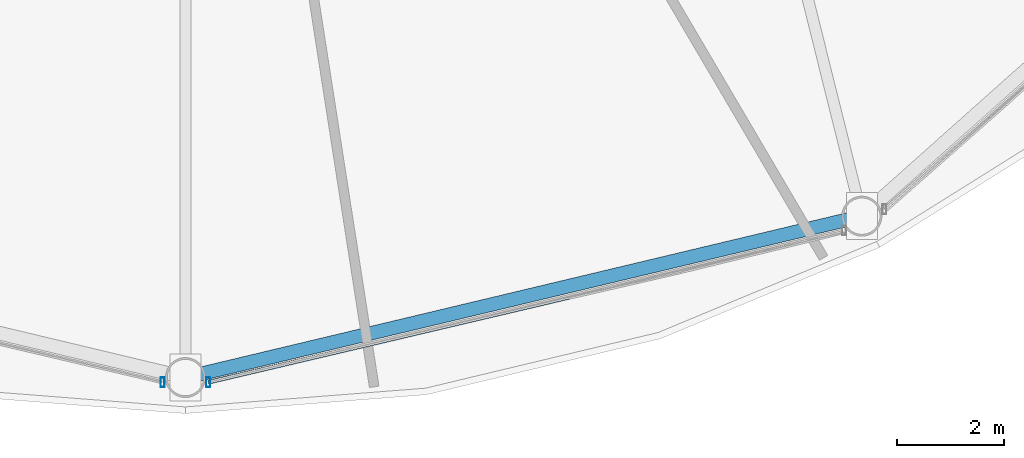
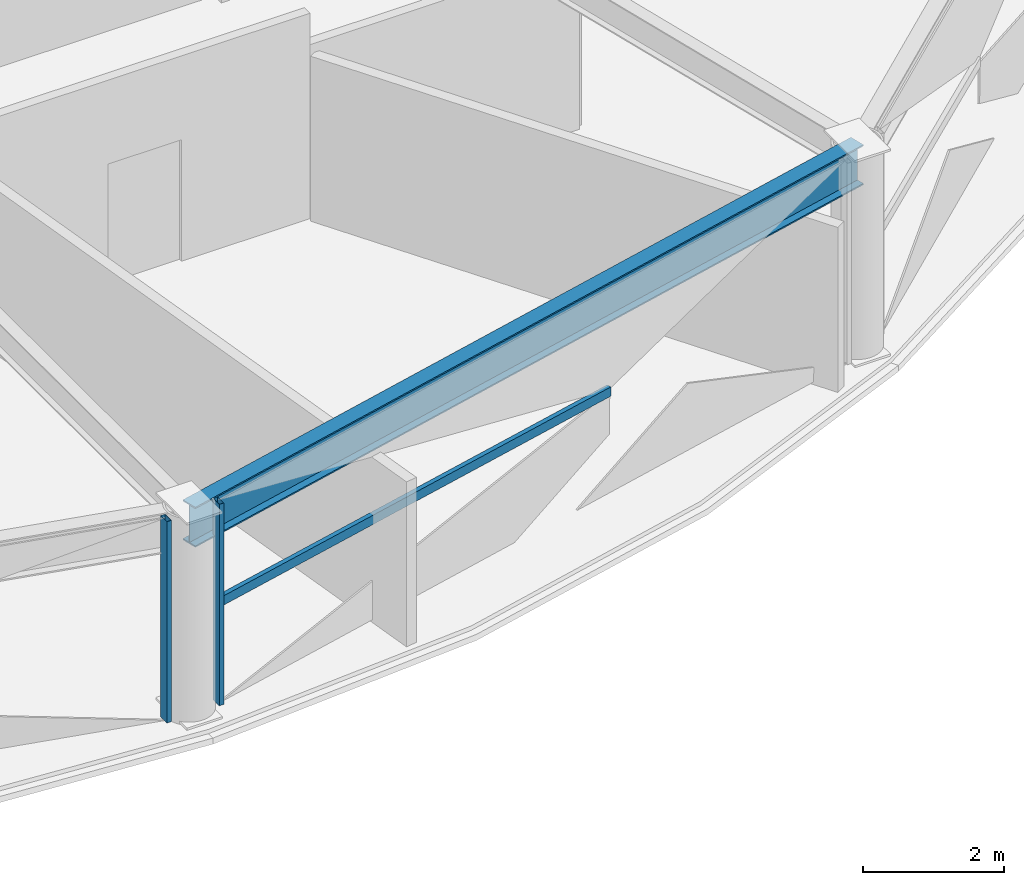
# One storey, part 5 of 31: 3 members, 1 beam, 2 elements without a shape of their own.
"""IFC4 building model written with IfcOpenShell, lengths in metres."""

import ifcopenshell
import ifcopenshell.guid

model = None  # the IFC model being written
_history = None  # IfcOwnerHistory: only IFC2X3 demands one
_inside = {}  # id of a spatial element -> (the spatial element, [elements in it])
_under = {}  # id of a project, library or spatial element -> (it, [spatial elements below it])
_declared = {}  # id of a project -> (the project, [libraries it declares])
_typed = {}  # id of a type object -> (the type object, [elements of that type])
_made_of = {}  # id of a material, layer set ... -> (it, [elements and type objects made of it])


def new_model(schema):
    """Start an empty IFC model of exactly this schema.

    Asked for "IFC4X3", IfcOpenShell would pick the latest addendum, in which some entities
    have other attributes; the version numbers below select the first issue.
    IFC2X3 requires an IfcOwnerHistory on every rooted entity: one is made here for all.
    """
    global model, _history
    if schema == "IFC4X3":
        model = ifcopenshell.file(schema_version=(4, 3, 0, 0))
    else:
        model = ifcopenshell.file(schema=schema)
    _inside.clear()
    _under.clear()
    _declared.clear()
    _typed.clear()
    _made_of.clear()
    _history = None
    if model.schema == "IFC2X3":
        org = make("IfcOrganization", Name="unknown")
        user = make(
            "IfcPersonAndOrganization",
            ThePerson=make("IfcPerson", FamilyName="unknown"),
            TheOrganization=org,
        )
        app = make(
            "IfcApplication",
            ApplicationDeveloper=org,
            Version="unknown",
            ApplicationFullName="unknown",
            ApplicationIdentifier="unknown",
        )
        _history = make(
            "IfcOwnerHistory",
            OwningUser=user,
            OwningApplication=app,
            ChangeAction="ADDED",
            CreationDate=0,
        )
    return model


def make(cls, **values):
    """One entity of the class cls with the attributes given. An attribute that is None is left unset."""
    return model.create_entity(
        cls, **{name: value for name, value in values.items() if value is not None}
    )


def rooted(cls, **values):
    """An entity with a GlobalId (a new one), such as an element, a storey or a relation."""
    return make(cls, GlobalId=ifcopenshell.guid.new(), OwnerHistory=_history, **values)


def si_unit(unit_type, name, prefix=None):
    """IfcSIUnit, for example si_unit("LENGTHUNIT", "METRE", prefix="MILLI")."""
    return make("IfcSIUnit", UnitType=unit_type, Prefix=prefix, Name=name)


def assignment(units):
    """IfcUnitAssignment: the units of a project."""
    return None if units is None else make("IfcUnitAssignment", Units=units)


def point(xyz):
    """IfcCartesianPoint."""
    return None if xyz is None else make("IfcCartesianPoint", Coordinates=xyz)


def direction(xyz):
    """IfcDirection."""
    return None if xyz is None else make("IfcDirection", DirectionRatios=xyz)


def frame(location, z_axis=None, x_axis=None):
    """IfcAxis2Placement3D, a coordinate frame: its origin and axes. An axis left out is left unset."""
    return make(
        "IfcAxis2Placement3D",
        Location=point(location),
        Axis=direction(z_axis),
        RefDirection=direction(x_axis),
    )


def frame_2d(location, x_axis=None):
    """IfcAxis2Placement2D, a coordinate frame in the plane: its origin and x axis."""
    return make(
        "IfcAxis2Placement2D", Location=point(location), RefDirection=direction(x_axis)
    )


def origin():
    """The frame at (0, 0, 0) with its axes left unset."""
    return frame((0.0, 0.0, 0.0))


def origin_2d():
    """The frame at (0, 0) in the plane with its x axis left unset."""
    return frame_2d((0.0, 0.0))


def place(relative_to, where):
    """IfcLocalPlacement: puts the frame where relative to a parent placement (None: the world)."""
    return make(
        "IfcLocalPlacement", PlacementRelTo=relative_to, RelativePlacement=where
    )


def context(
    kind, dimensions, precision=None, world=None, true_north=None, identifier=None
):
    """IfcGeometricRepresentationContext, for example the 3D "Model" context."""
    return make(
        "IfcGeometricRepresentationContext",
        ContextIdentifier=identifier,
        ContextType=kind,
        CoordinateSpaceDimension=dimensions,
        Precision=precision,
        WorldCoordinateSystem=world,
        TrueNorth=true_north,
    )


def subcontext(parent, identifier, kind, view, scale=None):
    """IfcGeometricRepresentationSubContext, for example "Body" below "Model"."""
    return make(
        "IfcGeometricRepresentationSubContext",
        ContextIdentifier=identifier,
        ContextType=kind,
        ParentContext=parent,
        TargetScale=scale,
        TargetView=view,
    )


def project(units=None, contexts=None):
    """IfcProject with its units and contexts."""
    return rooted(
        "IfcProject",
        Name="project",
        RepresentationContexts=contexts,
        UnitsInContext=assignment(units),
    )


def spatial(cls, under=None, at=None, **own):
    """A site, building, storey or space (cls), placed at a placement, below another one or the project."""
    s = rooted(cls, ObjectPlacement=at, **own)
    if under is not None:
        _under.setdefault(under.id(), (under, []))[1].append(s)
    return s


def profile(cls, at=None, kind="AREA", **sizes):
    """A parametric profile (cls). Its sizes go by their IFC names, for example OverallWidth=200.0."""
    return make(cls, ProfileType=kind, Position=at, **sizes)


def hollow_rectangle(**sizes):
    """IfcRectangleHollowProfileDef."""
    return profile("IfcRectangleHollowProfileDef", **sizes)


def i_section(**sizes):
    """IfcIShapeProfileDef."""
    return profile("IfcIShapeProfileDef", **sizes)


def extrude(swept, where, along, depth):
    """IfcExtrudedAreaSolid: the profile swept, set in the frame where, extruded along a direction by depth."""
    return make(
        "IfcExtrudedAreaSolid",
        SweptArea=swept,
        Position=where,
        ExtrudedDirection=direction(along),
        Depth=depth,
    )


def shape(context_of_items, identifier, shape_type, items):
    """IfcShapeRepresentation: the items that make up one representation, for example the "Body"."""
    return make(
        "IfcShapeRepresentation",
        ContextOfItems=context_of_items,
        RepresentationIdentifier=identifier,
        RepresentationType=shape_type,
        Items=items,
    )


def material(Name=None, Category=None):
    """IfcMaterial."""
    return make("IfcMaterial", Name=Name, Category=Category)


def layer(
    of_material, thickness, ventilated=None, Name=None, Category=None, Priority=None
):
    """IfcMaterialLayer: one layer of a wall or slab, of a material (None: an air gap)."""
    return make(
        "IfcMaterialLayer",
        Material=of_material,
        LayerThickness=thickness,
        IsVentilated=ventilated,
        Name=Name,
        Category=Category,
        Priority=Priority,
    )


def layer_set(layers, Name=None):
    """IfcMaterialLayerSet."""
    return make("IfcMaterialLayerSet", MaterialLayers=layers, LayerSetName=Name)


def material_profile(
    of_material, cross_section, Name=None, Category=None, Priority=None
):
    """IfcMaterialProfile: a cross section and its material."""
    return make(
        "IfcMaterialProfile",
        Name=Name,
        Material=of_material,
        Profile=cross_section,
        Priority=Priority,
        Category=Category,
    )


def profile_set(profiles, Name=None, composite=None):
    """IfcMaterialProfileSet."""
    return make(
        "IfcMaterialProfileSet",
        Name=Name,
        MaterialProfiles=profiles,
        CompositeProfile=composite,
    )


def made_of(thing, what):
    """Note that an element or type object is made of a material, layer set ...; save() writes the relation."""
    if what is not None:
        _made_of.setdefault(what.id(), (what, []))[1].append(thing)
    return thing


def type_object(cls, material=None, **own):
    """A type object (cls), such as IfcWallType, which elements share."""
    return made_of(rooted(cls, **own), material)


def element(
    cls,
    number,
    at=None,
    inside=None,
    cuts=None,
    type_object=None,
    material=None,
    context=None,
    identifier="Body",
    shape_type=None,
    held_by="IfcProductDefinitionShape",
    body=None,
    shapes=None,
    **own,
):
    """One element of the class cls, such as IfcWall. Its Tag is "e" and its number.

    at: its placement. inside: the storey or other place that contains it. cuts: it is an
    opening in that element (IfcRelVoidsElement). A single representation is given by context,
    identifier, shape_type and body (its items); several are given by shapes. held_by: the class
    of the entity that holds the representations. save() writes the other relations.
    """
    e = rooted(cls, Tag="e%d" % number, ObjectPlacement=at, **own)
    if body is not None:
        shapes = [shape(context, identifier, shape_type, body)]
    if shapes is not None:
        e.Representation = make(held_by, Representations=shapes)
    if inside is not None:
        _inside.setdefault(inside.id(), (inside, []))[1].append(e)
    if cuts is not None:
        rooted(
            "IfcRelVoidsElement", RelatingBuildingElement=cuts, RelatedOpeningElement=e
        )
    if type_object is not None:
        _typed.setdefault(type_object.id(), (type_object, []))[1].append(e)
    return made_of(e, material)


def aggregate(whole, parts):
    """IfcRelAggregates: a whole, such as a stair, and the parts it consists of."""
    return rooted("IfcRelAggregates", RelatingObject=whole, RelatedObjects=parts)


def save(model, path):
    """Write the relations noted so far, then the file.

    IfcRelAggregates (storeys below a building ...), IfcRelContainedInSpatialStructure (elements
    in a storey), IfcRelDefinesByType, IfcRelAssociatesMaterial and IfcRelDeclares: one each for
    every whole, place, type object, material and project.
    """
    for whole, parts in _under.values():
        aggregate(whole, parts)
    for where, things in _inside.values():
        rooted(
            "IfcRelContainedInSpatialStructure",
            RelatedElements=things,
            RelatingStructure=where,
        )
    for kind, things in _typed.values():
        rooted("IfcRelDefinesByType", RelatedObjects=things, RelatingType=kind)
    for what, things in _made_of.values():
        rooted("IfcRelAssociatesMaterial", RelatedObjects=things, RelatingMaterial=what)
    for by, libraries in _declared.values():
        rooted("IfcRelDeclares", RelatingContext=by, RelatedDefinitions=libraries)
    model.write(path)


model = new_model("IFC4")

# Units and contexts
model_context = context("Model", 3, precision=1e-05, world=origin(), true_north=direction((0.0, 1.0)))
body_context = subcontext(model_context, "Body", "Model", "MODEL_VIEW")
ifc_project = project(units=[si_unit("LENGTHUNIT", "METRE"), si_unit("AREAUNIT", "SQUARE_METRE"), si_unit("VOLUMEUNIT", "CUBIC_METRE"), si_unit("PLANEANGLEUNIT", "RADIAN"), si_unit("MASSUNIT", "GRAM", prefix="KILO")], contexts=[model_context])

# Site, building, storey
site_placement = place(None, origin())
site = spatial("IfcSite", under=ifc_project, at=site_placement, CompositionType="ELEMENT")
building_placement = place(site_placement, origin())
building = spatial("IfcBuilding", under=site, at=building_placement, Name="Vantalir Tower", CompositionType="ELEMENT")
storey_placement = place(building_placement, frame((0.0, 0.0, 115.949951171875)))
storey = spatial("IfcBuildingStorey", under=building, at=storey_placement, Name="L28", CompositionType="ELEMENT", Elevation=115.949951171875)

# Beam
ifc_material_1 = material(Name="Steel S460", Category="steel")
ifc_material_profile_1 = material_profile(ifc_material_1, i_section(OverallWidth=0.256103515625, OverallDepth=0.693115234375, WebThickness=0.014404296875, FlangeThickness=0.023681640625, at=origin_2d()), Name="Steel S460")
ifc_profile_set_1 = profile_set([ifc_material_profile_1], Name="Steel S460")
beam_type = type_object("IfcBeamType", Name="BM-RG-686x254", PredefinedType="USERDEFINED", material=ifc_profile_set_1)
beam_placement = place(storey_placement, frame((31.5, 2.43408203125, 3.22314453125), z_axis=(0.972697106811, 0.232078302307, 0.0), x_axis=(-0.232078302307, 0.972697106811, 0.0)))
element("IfcBeam", 1, at=beam_placement, inside=storey, type_object=beam_type, Name="L28 Circumferential Ring Girder 10", ObjectType="GIRDER", PredefinedType="USERDEFINED", context=body_context, shape_type="SweptSolid", body=[
    extrude(i_section(OverallWidth=0.256103515625, OverallDepth=0.693115234375, WebThickness=0.014404296875, FlangeThickness=0.023681640625, at=origin_2d()), origin(), (0.0, 0.0, 1.0), 13.025634765625),
])

# Curtain wall, member
ifc_material_2 = material(Name="Champagne-silver PVDF aluminium and double-silver Low-E glass", Category="aluminium")
ifc_layer = layer(ifc_material_2, 0.199951171875)
ifc_layer_set = layer_set([ifc_layer], Name="Champagne-silver PVDF aluminium and double-silver Low-E glass")
curtain_wall_type = type_object("IfcCurtainWallType", Name="CW-DIAMOND-Z2", PredefinedType="USERDEFINED", material=ifc_layer_set)
curtain_wall_1_placement = place(storey_placement, origin())
curtain_wall_1 = element("IfcCurtainWall", 2, at=curtain_wall_1_placement, inside=storey, type_object=curtain_wall_type, Name="L28 Quilted Pyramid-Diamond Curtain Wall S09", ObjectType="UNITISED CURTAIN WALL", PredefinedType="USERDEFINED")
ifc_material_3 = material(Name="Champagne-silver PVDF aluminium 6063-T6", Category="aluminium")
ifc_material_profile_2 = material_profile(ifc_material_3, hollow_rectangle(XDim=0.074951171875, YDim=0.179931640625, WallThickness=0.00390625, at=origin_2d()), Name="Champagne-silver PVDF aluminium 6063-T6")
ifc_profile_set_2 = profile_set([ifc_material_profile_2], Name="Champagne-silver PVDF aluminium 6063-T6")
member_type_1 = type_object("IfcMemberType", Name="CWM-180x75", PredefinedType="MULLION", material=ifc_profile_set_2)
member_1_placement = place(storey_placement, frame((31.072021484375, 2.345947265625, 0.045166015625), z_axis=(0.0, 0.0, 1.0), x_axis=(1.0, 0.0, 0.0)))
member_1 = element("IfcMember", 3, at=member_1_placement, type_object=member_type_1, Name="CW-L28-S09 Mullion 2", PredefinedType="MULLION", context=body_context, shape_type="SweptSolid", body=[
    extrude(hollow_rectangle(XDim=0.074951171875, YDim=0.179931640625, WallThickness=0.00390625, at=origin_2d()), origin(), (0.0, 0.0, 1.0), 3.47998046875),
])
aggregate(curtain_wall_1, [member_1])

# Curtain wall, members
curtain_wall_2_placement = place(storey_placement, origin())
curtain_wall_2 = element("IfcCurtainWall", 4, at=curtain_wall_2_placement, inside=storey, type_object=curtain_wall_type, Name="L28 Quilted Pyramid-Diamond Curtain Wall S10", ObjectType="UNITISED CURTAIN WALL", PredefinedType="USERDEFINED")
member_2_placement = place(storey_placement, frame((31.927978515625, 2.345947265625, 0.045166015625), z_axis=(0.0, 0.0, 1.0), x_axis=(1.0, 0.0, 0.0)))
member_2 = element("IfcMember", 5, at=member_2_placement, type_object=member_type_1, Name="CW-L28-S10 Mullion 1", PredefinedType="MULLION", context=body_context, shape_type="SweptSolid", body=[
    extrude(hollow_rectangle(XDim=0.074951171875, YDim=0.179931640625, WallThickness=0.00390625, at=origin_2d()), origin(), (0.0, 0.0, 1.0), 3.47998046875),
])
ifc_material_profile_3 = material_profile(ifc_material_3, hollow_rectangle(XDim=0.074951171875, YDim=0.159912109375, WallThickness=0.00390625, at=origin_2d()), Name="Champagne-silver PVDF aluminium 6063-T6")
ifc_profile_set_3 = profile_set([ifc_material_profile_3], Name="Champagne-silver PVDF aluminium 6063-T6")
member_type_2 = type_object("IfcMemberType", Name="CWT-160x75", PredefinedType="USERDEFINED", material=ifc_profile_set_3)
member_3_placement = place(storey_placement, frame((31.927978515625, 2.345947265625, 1.78515625), z_axis=(0.973368661437, 0.229245390208, 0.0), x_axis=(-0.229245390208, 0.973368661437, 0.0)))
member_3 = element("IfcMember", 6, at=member_3_placement, type_object=member_type_2, Name="CW-L28-S10 Pyramid Fold Ridge Transom", ObjectType="TRANSOM", PredefinedType="USERDEFINED", context=body_context, shape_type="SweptSolid", body=[
    extrude(hollow_rectangle(XDim=0.074951171875, YDim=0.159912109375, WallThickness=0.00390625, at=origin_2d()), origin(), (0.0, 0.0, 1.0), 7.59423828125),
])
aggregate(curtain_wall_2, [member_2, member_3])

save(model, "model.ifc")
